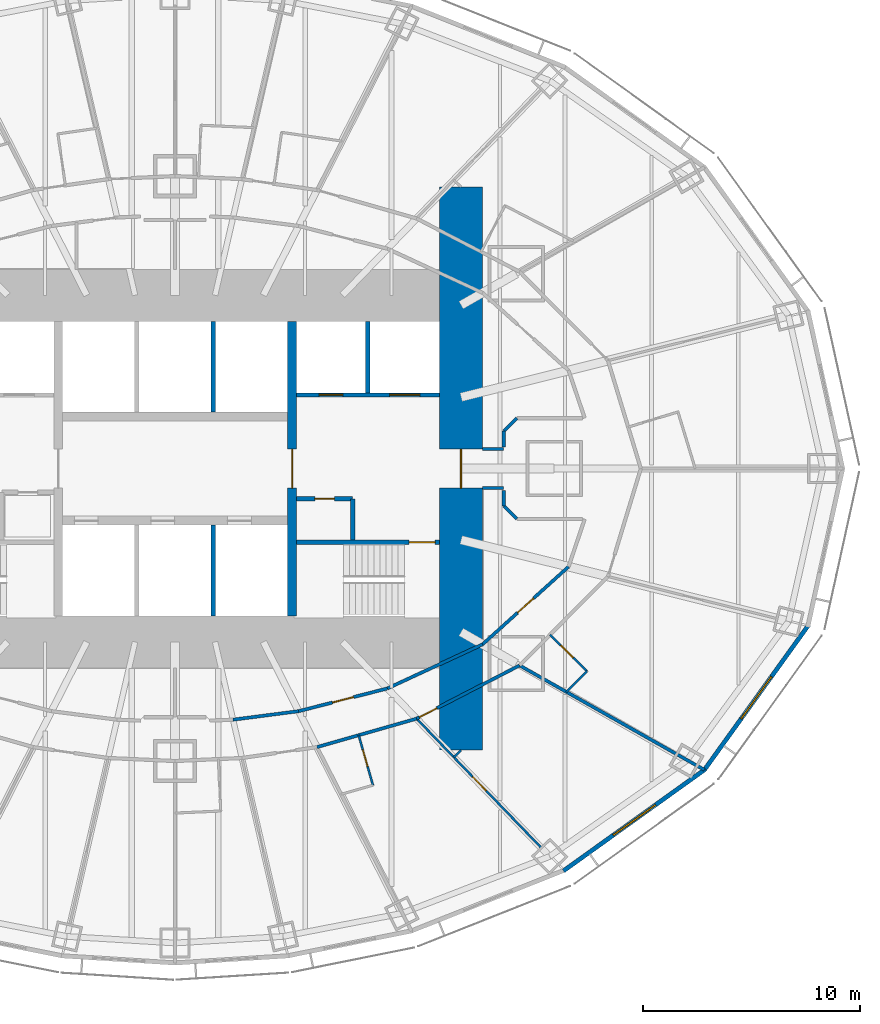
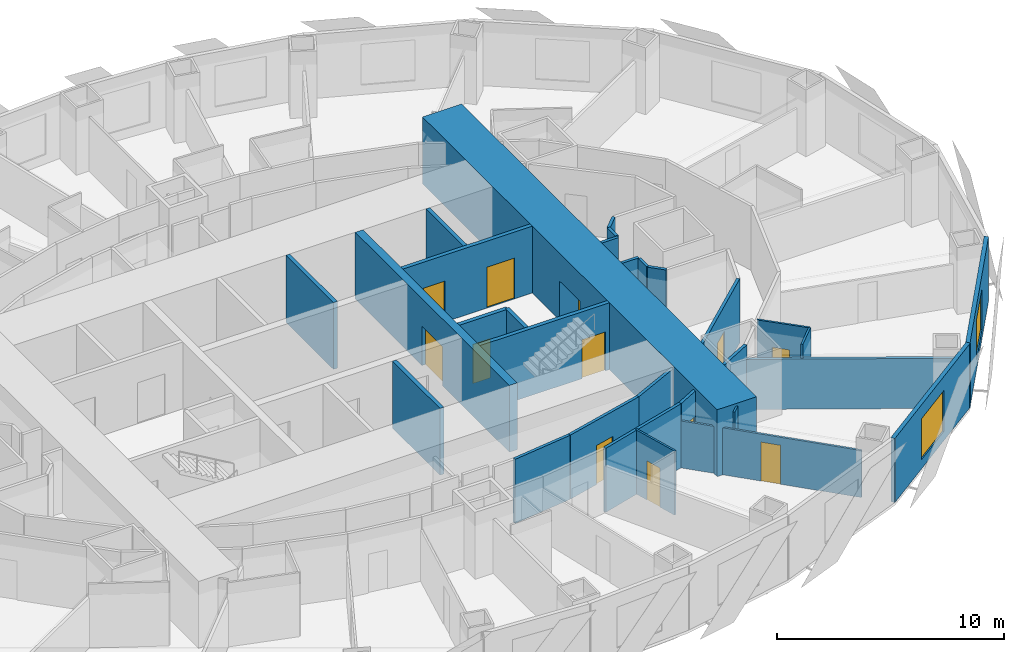
# One storey, part 7 of 15: 29 walls, 12 doors, 2 windows, 14 openings.
"""IFC4 building model written with IfcOpenShell, lengths in metres."""

from ifc_helpers import new_model, si_unit, direction, frame, frame_2d, origin, place, context, subcontext, project, spatial, rectangle, extrude, material, layer, layer_set, type_object, element, fill, save


model = new_model("IFC4")

# Units and contexts
model_context = context("Model", 3, precision=1e-05, world=origin(), true_north=direction((0.0, 1.0)))
body_context = subcontext(model_context, "Body", "Model", "MODEL_VIEW")
ifc_project = project(units=[si_unit("LENGTHUNIT", "METRE"), si_unit("AREAUNIT", "SQUARE_METRE"), si_unit("VOLUMEUNIT", "CUBIC_METRE"), si_unit("PLANEANGLEUNIT", "RADIAN"), si_unit("MASSUNIT", "GRAM", prefix="KILO")], contexts=[model_context])

# Site, building, storey
site_placement = place(None, origin())
site = spatial("IfcSite", under=ifc_project, at=site_placement, CompositionType="ELEMENT")
building_placement = place(site_placement, origin())
building = spatial("IfcBuilding", under=site, at=building_placement, Name="Lantaw Convention Tower", CompositionType="ELEMENT")
storey_placement = place(building_placement, frame((0.0, 0.0, 51.39990234375)))
storey = spatial("IfcBuildingStorey", under=building, at=storey_placement, Name="L10", CompositionType="ELEMENT", Elevation=51.39990234375)

# Wall, opening, door
ifc_material_1 = material(Name="Moisture resistant gypsum board on steel studs", Category="steel")
ifc_layer_1 = layer(ifc_material_1, 0.10009765625)
ifc_layer_set_1 = layer_set([ifc_layer_1], Name="Bathroom wall 100")
wall_type_1 = type_object("IfcWallType", Name="Bathroom wall 100", PredefinedType="PARTITIONING", material=ifc_layer_set_1)
wall_1_placement = place(storey_placement, frame((8.474365234375, -12.30810546875, 0.0), z_axis=(0.0, 0.0, 1.0), x_axis=(0.27497640313, -0.961450975205, 0.0)))
wall_1 = element("IfcWall", 1, at=wall_1_placement, inside=storey, type_object=wall_type_1, Name="Bathroom wall 100", PredefinedType="PARTITIONING", context=body_context, shape_type="SweptSolid", body=[
    extrude(rectangle(XDim=2.39990234375, YDim=0.10009765625, at=frame_2d((1.199951171875, 0.0))), origin(), (0.0, 0.0, 1.0), 3.4501953125),
])
opening_1_placement = place(wall_1_placement, frame((0.699951171875, 0.0, 0.0)))
opening_1 = element("IfcOpeningElement", 2, at=opening_1_placement, cuts=wall_1, Name="Opening L10.56", PredefinedType="OPENING", context=body_context, shape_type="SweptSolid", body=[
    extrude(rectangle(XDim=0.800048828125, YDim=2.10009765625, at=frame_2d((0.39990234375, 1.050048828125))), frame((0.0, 0.06005859375, 0.0), z_axis=(0.0, -1.0, 0.0), x_axis=(1.0, 0.0, 0.0)), (0.0, 0.0, 1.0), 0.1201171875),
])
ifc_material_2 = material(Name="Timber", Category="wood")
door_type_1 = type_object("IfcDoorType", Name="Bathroom door 800", OperationType="SINGLE_SWING_LEFT", PredefinedType="DOOR", material=ifc_material_2)
door_1_placement = place(opening_1_placement, origin())
door_1 = element("IfcDoor", 3, at=door_1_placement, inside=storey, type_object=door_type_1, Name="Bathroom door", OperationType="SINGLE_SWING_LEFT", OverallHeight=2.10009765625, OverallWidth=0.800048828125, PredefinedType="DOOR", context=body_context, shape_type="SweptSolid", body=[
    extrude(rectangle(XDim=0.800048828125, YDim=2.10009765625, at=frame_2d((0.39990234375, 1.050048828125))), frame((0.0, 0.02490234375, 0.0), z_axis=(0.0, -1.0, 0.0), x_axis=(1.0, 0.0, 0.0)), (0.0, 0.0, 1.0), 0.050048828125),
])
fill(opening_1, door_1)

wall_2_placement = place(storey_placement, frame((17.311279296875, -7.668212890625, 0.0), z_axis=(0.0, 0.0, 1.0), x_axis=(0.709138392716, -0.705069315724, 0.0)))
wall_2 = element("IfcWall", 4, at=wall_2_placement, inside=storey, type_object=wall_type_1, Name="Bathroom wall 100", PredefinedType="PARTITIONING", context=body_context, shape_type="SweptSolid", body=[
    extrude(rectangle(XDim=2.39990234375, YDim=0.10009765625, at=frame_2d((1.199951171875, 0.0))), origin(), (0.0, 0.0, 1.0), 3.4501953125),
])
opening_2_placement = place(wall_2_placement, frame((0.699951171875, 0.0, 0.0)))
opening_2 = element("IfcOpeningElement", 5, at=opening_2_placement, cuts=wall_2, Name="Opening L10.59", PredefinedType="OPENING", context=body_context, shape_type="SweptSolid", body=[
    extrude(rectangle(XDim=0.800048828125, YDim=2.10009765625, at=frame_2d((0.39990234375, 1.050048828125))), frame((0.0, 0.06005859375, 0.0), z_axis=(0.0, -1.0, 0.0), x_axis=(1.0, 0.0, 0.0)), (0.0, 0.0, 1.0), 0.1201171875),
])
door_2_placement = place(opening_2_placement, origin())
door_2 = element("IfcDoor", 6, at=door_2_placement, inside=storey, type_object=door_type_1, Name="Bathroom door", OperationType="SINGLE_SWING_LEFT", OverallHeight=2.10009765625, OverallWidth=0.800048828125, PredefinedType="DOOR", context=body_context, shape_type="SweptSolid", body=[
    extrude(rectangle(XDim=0.800048828125, YDim=2.10009765625, at=frame_2d((0.39990234375, 1.050048828125))), frame((0.0, 0.02490234375, 0.0), z_axis=(0.0, -1.0, 0.0), x_axis=(1.0, 0.0, 0.0)), (0.0, 0.0, 1.0), 0.050048828125),
])
fill(opening_2, door_2)

# Wall
wall_3_placement = place(storey_placement, frame((19.01318359375, -9.3603515625, 0.0), z_axis=(0.0, 0.0, 1.0), x_axis=(-0.7051187611, -0.709089227633, 0.0)))
element("IfcWall", 7, at=wall_3_placement, inside=storey, type_object=wall_type_1, Name="Bathroom wall 100", PredefinedType="PARTITIONING", context=body_context, shape_type="SweptSolid", body=[
    extrude(rectangle(XDim=1.352783203125, YDim=0.10009765625, at=frame_2d((0.67626953125, 0.0))), origin(), (0.0, 0.0, 1.0), 3.4501953125),
])

# Wall, opening, door
ifc_material_3 = material(Name="Concrete C60/75", Category="concrete")
ifc_layer_2 = layer(ifc_material_3, 0.199951171875)
ifc_layer_set_2 = layer_set([ifc_layer_2], Name="Core wall 200")
wall_type_2 = type_object("IfcWallType", Name="Core wall 200", PredefinedType="SHEAR", material=ifc_layer_set_2)
wall_4_placement = place(storey_placement, frame((5.60009765625, -3.39990234375, 0.0), z_axis=(0.0, 0.0, 1.0), x_axis=(1.0, 0.0, 0.0)))
wall_4 = element("IfcWall", 8, at=wall_4_placement, inside=storey, type_object=wall_type_2, Name="Core wall ES", PredefinedType="SHEAR", context=body_context, shape_type="SweptSolid", body=[
    extrude(rectangle(XDim=6.599853515625, YDim=0.199951171875, at=frame_2d((3.2998046875, 0.0))), origin(), (0.0, 0.0, 1.0), 3.60009765625),
])
opening_3_placement = place(wall_4_placement, frame((5.199951171875, 0.0, 0.0)))
opening_3 = element("IfcOpeningElement", 9, at=opening_3_placement, cuts=wall_4, Name="Opening L10.05", PredefinedType="OPENING", context=body_context, shape_type="SweptSolid", body=[
    extrude(rectangle(XDim=1.199951171875, YDim=2.10009765625, at=frame_2d((0.60009765625, 1.050048828125))), frame((0.0, 0.10986328125, 0.0), z_axis=(0.0, -1.0, 0.0), x_axis=(1.0, 0.0, 0.0)), (0.0, 0.0, 1.0), 0.219970703125),
])
ifc_material_4 = material(Name="Steel, fire rated", Category="steel")
door_type_2 = type_object("IfcDoorType", Name="Stair door FD90", OperationType="SINGLE_SWING_RIGHT", PredefinedType="DOOR", material=ifc_material_4)
door_3_placement = place(opening_3_placement, origin())
door_3 = element("IfcDoor", 10, at=door_3_placement, inside=storey, type_object=door_type_2, Name="Exit stair door", OperationType="SINGLE_SWING_RIGHT", OverallHeight=2.10009765625, OverallWidth=1.199951171875, PredefinedType="DOOR", context=body_context, shape_type="SweptSolid", body=[
    extrude(rectangle(XDim=1.199951171875, YDim=2.10009765625, at=frame_2d((0.60009765625, 1.050048828125))), frame((0.0, 0.02490234375, 0.0), z_axis=(0.0, -1.0, 0.0), x_axis=(1.0, 0.0, 0.0)), (0.0, 0.0, 1.0), 0.050048828125),
])
fill(opening_3, door_3)

ifc_layer_3 = layer(ifc_material_3, 2.0)
ifc_layer_set_3 = layer_set([ifc_layer_3], Name="Core wall 2000")
wall_type_3 = type_object("IfcWallType", Name="Core wall 2000", PredefinedType="SHEAR", material=ifc_layer_set_3)
wall_5_placement = place(storey_placement, frame((13.199951171875, -13.0, 0.0), z_axis=(0.0, 0.0, 1.0), x_axis=(0.0, 1.0, 0.0)))
wall_5 = element("IfcWall", 11, at=wall_5_placement, inside=storey, type_object=wall_type_3, Name="Core wall E", PredefinedType="SHEAR", context=body_context, shape_type="SweptSolid", body=[
    extrude(rectangle(XDim=26.0, YDim=2.0, at=frame_2d((13.0, 0.0))), origin(), (0.0, 0.0, 1.0), 3.60009765625),
])
opening_4_placement = place(wall_5_placement, frame((12.10009765625, 0.0, 0.0)))
opening_4 = element("IfcOpeningElement", 12, at=opening_4_placement, cuts=wall_5, Name="Opening L10.07", PredefinedType="OPENING", context=body_context, shape_type="SweptSolid", body=[
    extrude(rectangle(XDim=1.800048828125, YDim=2.10009765625, at=frame_2d((0.89990234375, 1.050048828125))), frame((0.0, 1.010009765625, 0.0), z_axis=(0.0, -1.0, 0.0), x_axis=(1.0, 0.0, 0.0)), (0.0, 0.0, 1.0), 2.02001953125),
])
door_type_3 = type_object("IfcDoorType", Name="Lobby double door FD90", OperationType="DOUBLE_DOOR_DOUBLE_SWING", PredefinedType="DOOR", material=ifc_material_4)
door_4_placement = place(opening_4_placement, origin())
door_4 = element("IfcDoor", 13, at=door_4_placement, inside=storey, type_object=door_type_3, Name="Firefighting lobby door", OperationType="DOUBLE_DOOR_DOUBLE_SWING", OverallHeight=2.10009765625, OverallWidth=1.800048828125, PredefinedType="DOOR", context=body_context, shape_type="SweptSolid", body=[
    extrude(rectangle(XDim=1.800048828125, YDim=2.10009765625, at=frame_2d((0.89990234375, 1.050048828125))), frame((0.0, 0.02490234375, 0.0), z_axis=(0.0, -1.0, 0.0), x_axis=(1.0, 0.0, 0.0)), (0.0, 0.0, 1.0), 0.050048828125),
])
fill(opening_4, door_4)

ifc_layer_4 = layer(ifc_material_3, 0.39990234375)
ifc_layer_set_4 = layer_set([ifc_layer_4], Name="Core wall 400")
wall_type_4 = type_object("IfcWallType", Name="Core wall 400", PredefinedType="SHEAR", material=ifc_layer_set_4)
wall_6_placement = place(storey_placement, frame((5.39990234375, -6.800048828125, 0.0), z_axis=(0.0, 0.0, 1.0), x_axis=(0.0, 1.0, 0.0)))
wall_6 = element("IfcWall", 14, at=wall_6_placement, inside=storey, type_object=wall_type_4, Name="Core wall XE", PredefinedType="SHEAR", context=body_context, shape_type="SweptSolid", body=[
    extrude(rectangle(XDim=13.60009765625, YDim=0.39990234375, at=frame_2d((6.800048828125, 0.0))), origin(), (0.0, 0.0, 1.0), 3.60009765625),
])
opening_5_placement = place(wall_6_placement, frame((5.89990234375, 0.0, 0.0)))
opening_5 = element("IfcOpeningElement", 15, at=opening_5_placement, cuts=wall_6, Name="Opening L10.03", PredefinedType="OPENING", context=body_context, shape_type="SweptSolid", body=[
    extrude(rectangle(XDim=1.800048828125, YDim=2.10009765625, at=frame_2d((0.89990234375, 1.050048828125))), frame((0.0, 0.2099609375, 0.0), z_axis=(0.0, -1.0, 0.0), x_axis=(1.0, 0.0, 0.0)), (0.0, 0.0, 1.0), 0.419921875),
])
door_5_placement = place(opening_5_placement, origin())
door_5 = element("IfcDoor", 16, at=door_5_placement, inside=storey, type_object=door_type_3, Name="Lift lobby door", OperationType="DOUBLE_DOOR_DOUBLE_SWING", OverallHeight=2.10009765625, OverallWidth=1.800048828125, PredefinedType="DOOR", context=body_context, shape_type="SweptSolid", body=[
    extrude(rectangle(XDim=1.800048828125, YDim=2.10009765625, at=frame_2d((0.89990234375, 1.050048828125))), frame((0.0, 0.02490234375, 0.0), z_axis=(0.0, -1.0, 0.0), x_axis=(1.0, 0.0, 0.0)), (0.0, 0.0, 1.0), 0.050048828125),
])
fill(opening_5, door_5)

# Wall
ifc_material_5 = material(Name="Gypsum board on steel studs, fire rated", Category="steel")
ifc_layer_5 = layer(ifc_material_5, 0.14990234375)
ifc_layer_set_5 = layer_set([ifc_layer_5], Name="Corridor wall 150 EI 60")
wall_type_5 = type_object("IfcWallType", Name="Corridor wall 150 EI 60", PredefinedType="PARTITIONING", material=ifc_layer_set_5)
wall_7_placement = place(storey_placement, frame((6.551513671875, -12.85791015625, 0.0), z_axis=(0.0, 0.0, 1.0), x_axis=(0.961464178199, 0.27493023486, 0.0)))
element("IfcWall", 17, at=wall_7_placement, inside=storey, type_object=wall_type_5, Name="Corridor wall 150", PredefinedType="PARTITIONING", context=body_context, shape_type="SweptSolid", body=[
    extrude(rectangle(XDim=4.7802734375, YDim=0.14990234375, at=frame_2d((2.39013671875, 0.0))), origin(), (0.0, 0.0, 1.0), 3.4501953125),
])

# Wall, opening, door
wall_8_placement = place(storey_placement, frame((11.1474609375, -11.543701171875, 0.0), z_axis=(0.0, 0.0, 1.0), x_axis=(0.888333171507, 0.459199495209, 0.0)))
wall_8 = element("IfcWall", 18, at=wall_8_placement, inside=storey, type_object=wall_type_5, Name="Corridor wall 150", PredefinedType="PARTITIONING", context=body_context, shape_type="SweptSolid", body=[
    extrude(rectangle(XDim=5.351318359375, YDim=0.14990234375, at=frame_2d((2.67578125, 0.0))), origin(), (0.0, 0.0, 1.0), 3.4501953125),
])
opening_6_placement = place(wall_8_placement, frame((0.14990234375, 0.0, 0.0)))
opening_6 = element("IfcOpeningElement", 19, at=opening_6_placement, cuts=wall_8, Name="Opening L10.58", PredefinedType="OPENING", context=body_context, shape_type="SweptSolid", body=[
    extrude(rectangle(XDim=0.89990234375, YDim=2.10009765625, at=frame_2d((0.449951171875, 1.050048828125))), frame((0.0, 0.0849609375, 0.0), z_axis=(0.0, -1.0, 0.0), x_axis=(1.0, 0.0, 0.0)), (0.0, 0.0, 1.0), 0.169921875),
])
door_type_4 = type_object("IfcDoorType", Name="Guest room entrance door FD30S", OperationType="SINGLE_SWING_LEFT", PredefinedType="DOOR", material=ifc_material_4)
door_6_placement = place(opening_6_placement, origin())
door_6 = element("IfcDoor", 20, at=door_6_placement, inside=storey, type_object=door_type_4, Name="Suite entrance door", OperationType="SINGLE_SWING_LEFT", OverallHeight=2.10009765625, OverallWidth=0.89990234375, PredefinedType="DOOR", context=body_context, shape_type="SweptSolid", body=[
    extrude(rectangle(XDim=0.89990234375, YDim=2.10009765625, at=frame_2d((0.449951171875, 1.050048828125))), frame((0.0, 0.02490234375, 0.0), z_axis=(0.0, -1.0, 0.0), x_axis=(1.0, 0.0, 0.0)), (0.0, 0.0, 1.0), 0.050048828125),
])
fill(opening_6, door_6)

# Wall
wall_9_placement = place(storey_placement, frame((2.676025390625, -11.591552734375, 0.0), z_axis=(0.0, 0.0, 1.0), x_axis=(0.99168929531, 0.128655903743, 0.0)))
element("IfcWall", 21, at=wall_9_placement, inside=storey, type_object=wall_type_5, Name="Corridor wall 150", PredefinedType="PARTITIONING", context=body_context, shape_type="SweptSolid", body=[
    extrude(rectangle(XDim=3.05517578125, YDim=0.14990234375, at=frame_2d((1.527587890625, 0.0))), origin(), (0.0, 0.0, 1.0), 3.4501953125),
])

# Wall, opening, door
wall_10_placement = place(storey_placement, frame((5.705810546875, -11.198486328125, 0.0), z_axis=(0.0, 0.0, 1.0), x_axis=(0.968705891355, 0.248211393886, 0.0)))
wall_10 = element("IfcWall", 22, at=wall_10_placement, inside=storey, type_object=wall_type_5, Name="Corridor wall 150", PredefinedType="PARTITIONING", context=body_context, shape_type="SweptSolid", body=[
    extrude(rectangle(XDim=4.2275390625, YDim=0.14990234375, at=frame_2d((2.11376953125, 0.0))), origin(), (0.0, 0.0, 1.0), 3.4501953125),
])
opening_7_placement = place(wall_10_placement, frame((1.61376953125, 0.0, 0.0)))
opening_7 = element("IfcOpeningElement", 23, at=opening_7_placement, cuts=wall_10, Name="Opening L10.24", PredefinedType="OPENING", context=body_context, shape_type="SweptSolid", body=[
    extrude(rectangle(XDim=1.0, YDim=2.10009765625, at=frame_2d((0.5, 1.050048828125))), frame((0.0, 0.0849609375, 0.0), z_axis=(0.0, -1.0, 0.0), x_axis=(1.0, 0.0, 0.0)), (0.0, 0.0, 1.0), 0.169921875),
])
door_type_5 = type_object("IfcDoorType", Name="Service door 1000 FD30", OperationType="SINGLE_SWING_LEFT", PredefinedType="DOOR", material=ifc_material_4)
door_7_placement = place(opening_7_placement, origin())
door_7 = element("IfcDoor", 24, at=door_7_placement, inside=storey, type_object=door_type_5, Name="Room service pantry door", OperationType="SINGLE_SWING_LEFT", OverallHeight=2.10009765625, OverallWidth=1.0, PredefinedType="DOOR", context=body_context, shape_type="SweptSolid", body=[
    extrude(rectangle(XDim=1.0, YDim=2.10009765625, at=frame_2d((0.5, 1.050048828125))), frame((0.0, 0.02490234375, 0.0), z_axis=(0.0, -1.0, 0.0), x_axis=(1.0, 0.0, 0.0)), (0.0, 0.0, 1.0), 0.050048828125),
])
fill(opening_7, door_7)

# Wall
wall_11_placement = place(storey_placement, frame((9.801025390625, -10.149169921875, 0.0), z_axis=(0.0, 0.0, 1.0), x_axis=(0.907279653965, 0.420527798727, 0.0)))
element("IfcWall", 25, at=wall_11_placement, inside=storey, type_object=wall_type_5, Name="Corridor wall 150", PredefinedType="PARTITIONING", context=body_context, shape_type="SweptSolid", body=[
    extrude(rectangle(XDim=4.84423828125, YDim=0.14990234375, at=frame_2d((2.422119140625, 0.0))), origin(), (0.0, 0.0, 1.0), 3.4501953125),
])

# Wall, opening, door
wall_12_placement = place(storey_placement, frame((14.196044921875, -8.112060546875, 0.0), z_axis=(0.0, 0.0, 1.0), x_axis=(0.742194222, 0.670184852731, 0.0)))
wall_12 = element("IfcWall", 26, at=wall_12_placement, inside=storey, type_object=wall_type_5, Name="Corridor wall 150", PredefinedType="PARTITIONING", context=body_context, shape_type="SweptSolid", body=[
    extrude(rectangle(XDim=5.3466796875, YDim=0.14990234375, at=frame_2d((2.67333984375, 0.0))), origin(), (0.0, 0.0, 1.0), 3.4501953125),
])
opening_8_placement = place(wall_12_placement, frame((2.17333984375, 0.0, 0.0)))
opening_8 = element("IfcOpeningElement", 27, at=opening_8_placement, cuts=wall_12, Name="Opening L10.23", PredefinedType="OPENING", context=body_context, shape_type="SweptSolid", body=[
    extrude(rectangle(XDim=1.0, YDim=2.10009765625, at=frame_2d((0.5, 1.050048828125))), frame((0.0, 0.0849609375, 0.0), z_axis=(0.0, -1.0, 0.0), x_axis=(1.0, 0.0, 0.0)), (0.0, 0.0, 1.0), 0.169921875),
])
door_8_placement = place(opening_8_placement, origin())
door_8 = element("IfcDoor", 28, at=door_8_placement, inside=storey, type_object=door_type_5, Name="Room service pantry door", OperationType="SINGLE_SWING_LEFT", OverallHeight=2.10009765625, OverallWidth=1.0, PredefinedType="DOOR", context=body_context, shape_type="SweptSolid", body=[
    extrude(rectangle(XDim=1.0, YDim=2.10009765625, at=frame_2d((0.5, 1.050048828125))), frame((0.0, 0.02490234375, 0.0), z_axis=(0.0, -1.0, 0.0), x_axis=(1.0, 0.0, 0.0)), (0.0, 0.0, 1.0), 0.050048828125),
])
fill(opening_8, door_8)

# Walls
for number, where, z_axis, x_axis, name in (
    (29, (14.199951171875, -0.89990234375, 0.0), (0.0, 0.0, 1.0), (1.0, 0.0, 0.0), "Corridor wall 150"),
    (30, (14.199951171875, 0.89990234375, 0.0), (0.0, 0.0, 1.0), (1.0, 0.0, 0.0), "Corridor wall 150"),
):
    element("IfcWall", number, at=place(storey_placement, frame(where, z_axis=z_axis, x_axis=x_axis)), inside=storey, type_object=wall_type_5, Name=name, PredefinedType="PARTITIONING", context=body_context, shape_type="SweptSolid", body=[
        extrude(rectangle(XDim=0.965087890625, YDim=0.14990234375, at=frame_2d((0.482421875, 0.0))), origin(), (0.0, 0.0, 1.0), 3.4501953125),
    ])
wall_13_placement = place(storey_placement, frame((15.175048828125, 1.003173828125, 0.0), z_axis=(0.0, 0.0, 1.0), x_axis=(0.0, 1.0, 0.0)))
element("IfcWall", 31, at=wall_13_placement, inside=storey, type_object=wall_type_5, Name="Corridor wall 150", PredefinedType="PARTITIONING", context=body_context, shape_type="SweptSolid", body=[
    extrude(rectangle(XDim=0.721435546875, YDim=0.14990234375, at=frame_2d((0.36083984375, 0.0))), origin(), (0.0, 0.0, 1.0), 3.4501953125),
])
wall_14_placement = place(storey_placement, frame((15.175048828125, 1.724609375, 0.0), z_axis=(0.0, 0.0, 1.0), x_axis=(0.707106781187, 0.707106781187, 0.0)))
element("IfcWall", 32, at=wall_14_placement, inside=storey, type_object=wall_type_5, Name="Corridor wall 150", PredefinedType="PARTITIONING", context=body_context, shape_type="SweptSolid", body=[
    extrude(rectangle(XDim=0.84912109375, YDim=0.14990234375, at=frame_2d((0.424560546875, 0.0))), origin(), (0.0, 0.0, 1.0), 3.4501953125),
])
wall_15_placement = place(storey_placement, frame((15.175048828125, -1.724609375, 0.0), z_axis=(0.0, 0.0, 1.0), x_axis=(0.0, 1.0, 0.0)))
element("IfcWall", 33, at=wall_15_placement, inside=storey, type_object=wall_type_5, Name="Corridor wall 150", PredefinedType="PARTITIONING", context=body_context, shape_type="SweptSolid", body=[
    extrude(rectangle(XDim=0.721435546875, YDim=0.14990234375, at=frame_2d((0.36083984375, 0.0))), origin(), (0.0, 0.0, 1.0), 3.4501953125),
])
wall_16_placement = place(storey_placement, frame((15.775390625, -2.324951171875, 0.0), z_axis=(0.0, 0.0, 1.0), x_axis=(-0.707106781187, 0.707106781187, 0.0)))
element("IfcWall", 34, at=wall_16_placement, inside=storey, type_object=wall_type_5, Name="Corridor wall 150", PredefinedType="PARTITIONING", context=body_context, shape_type="SweptSolid", body=[
    extrude(rectangle(XDim=0.84912109375, YDim=0.14990234375, at=frame_2d((0.424560546875, 0.0))), origin(), (0.0, 0.0, 1.0), 3.4501953125),
])

# Wall, opening, window
ifc_material_6 = material(Name="Insulated aluminium panel on steel frame", Category="steel")
ifc_layer_6 = layer(ifc_material_6, 0.199951171875)
ifc_layer_set_6 = layer_set([ifc_layer_6], Name="External wall 200")
wall_type_6 = type_object("IfcWallType", Name="External wall 200", PredefinedType="SOLIDWALL", material=ifc_layer_set_6)
wall_17_placement = place(storey_placement, frame((17.9287109375, -18.57177734375, 0.0), z_axis=(0.0, 0.0, 1.0), x_axis=(0.812791321576, 0.582554948112, 0.0)))
wall_17 = element("IfcWall", 35, at=wall_17_placement, inside=storey, type_object=wall_type_6, Name="Facade panel wall", PredefinedType="SOLIDWALL", context=body_context, shape_type="SweptSolid", body=[
    extrude(rectangle(XDim=8.063232421875, YDim=0.199951171875, at=frame_2d((4.03173828125, 0.0))), origin(), (0.0, 0.0, 1.0), 3.4501953125),
])
opening_9_placement = place(wall_17_placement, frame((2.83154296875, 0.0, 0.5)))
opening_9 = element("IfcOpeningElement", 36, at=opening_9_placement, cuts=wall_17, Name="Opening W1", PredefinedType="OPENING", context=body_context, shape_type="SweptSolid", body=[
    extrude(rectangle(XDim=2.39990234375, YDim=2.199951171875, at=frame_2d((1.199951171875, 1.10009765625))), frame((0.0, 0.10986328125, 0.0), z_axis=(0.0, -1.0, 0.0), x_axis=(1.0, 0.0, 0.0)), (0.0, 0.0, 1.0), 0.219970703125),
])
ifc_material_7 = material(Name="Aluminium frame, clear insulating glass", Category="aluminium")
window_type = type_object("IfcWindowType", Name="Guest room window 2400x2200", PartitioningType="SINGLE_PANEL", PredefinedType="WINDOW", material=ifc_material_7)
window_1_placement = place(opening_9_placement, origin())
window_1 = element("IfcWindow", 37, at=window_1_placement, inside=storey, type_object=window_type, Name="Guest room window", OverallHeight=2.199951171875, OverallWidth=2.39990234375, PartitioningType="SINGLE_PANEL", PredefinedType="WINDOW", context=body_context, shape_type="SweptSolid", body=[
    extrude(rectangle(XDim=2.39990234375, YDim=2.199951171875, at=frame_2d((1.199951171875, 1.10009765625))), frame((0.0, 0.030029296875, 0.0), z_axis=(0.0, -1.0, 0.0), x_axis=(1.0, 0.0, 0.0)), (0.0, 0.0, 1.0), 0.06005859375),
])
fill(opening_9, window_1)

wall_18_placement = place(storey_placement, frame((24.400390625, -13.95654296875, 0.0), z_axis=(0.0, 0.0, 1.0), x_axis=(0.583937613703, 0.811798536155, 0.0)))
wall_18 = element("IfcWall", 38, at=wall_18_placement, inside=storey, type_object=wall_type_6, Name="Facade panel wall", PredefinedType="SOLIDWALL", context=body_context, shape_type="SweptSolid", body=[
    extrude(rectangle(XDim=8.322998046875, YDim=0.199951171875, at=frame_2d((4.16162109375, 0.0))), origin(), (0.0, 0.0, 1.0), 3.4501953125),
])
opening_10_placement = place(wall_18_placement, frame((2.96142578125, 0.0, 0.5)))
opening_10 = element("IfcOpeningElement", 39, at=opening_10_placement, cuts=wall_18, Name="Opening W1", PredefinedType="OPENING", context=body_context, shape_type="SweptSolid", body=[
    extrude(rectangle(XDim=2.39990234375, YDim=2.199951171875, at=frame_2d((1.199951171875, 1.10009765625))), frame((0.0, 0.10986328125, 0.0), z_axis=(0.0, -1.0, 0.0), x_axis=(1.0, 0.0, 0.0)), (0.0, 0.0, 1.0), 0.219970703125),
])
window_2_placement = place(opening_10_placement, origin())
window_2 = element("IfcWindow", 40, at=window_2_placement, inside=storey, type_object=window_type, Name="Guest room window", OverallHeight=2.199951171875, OverallWidth=2.39990234375, PartitioningType="SINGLE_PANEL", PredefinedType="WINDOW", context=body_context, shape_type="SweptSolid", body=[
    extrude(rectangle(XDim=2.39990234375, YDim=2.199951171875, at=frame_2d((1.199951171875, 1.10009765625))), frame((0.0, 0.030029296875, 0.0), z_axis=(0.0, -1.0, 0.0), x_axis=(1.0, 0.0, 0.0)), (0.0, 0.0, 1.0), 0.06005859375),
])
fill(opening_10, window_2)

# Walls
ifc_material_8 = material(Name="Gypsum board on steel studs, acoustic", Category="steel")
ifc_layer_7 = layer(ifc_material_8, 0.14990234375)
ifc_layer_set_7 = layer_set([ifc_layer_7], Name="Guest room party wall 150")
wall_type_7 = type_object("IfcWallType", Name="Guest room party wall 150", PredefinedType="PARTITIONING", material=ifc_layer_set_7)
wall_19_placement = place(storey_placement, frame((24.434814453125, -13.90869140625, 0.0), z_axis=(0.0, 0.0, 1.0), x_axis=(-0.870612006791, 0.491970256856, 0.0)))
element("IfcWall", 41, at=wall_19_placement, inside=storey, type_object=wall_type_7, Name="Guest room party wall 150", PredefinedType="PARTITIONING", context=body_context, shape_type="SweptSolid", body=[
    extrude(rectangle(XDim=9.802001953125, YDim=0.14990234375, at=frame_2d((4.90087890625, 0.0))), origin(), (0.0, 0.0, 1.0), 2.693115234375),
])
ifc_layer_8 = layer(ifc_material_8, 0.10009765625)
ifc_layer_set_8 = layer_set([ifc_layer_8], Name="Office partition 100")
wall_type_8 = type_object("IfcWallType", Name="Office partition 100", PredefinedType="PARTITIONING", material=ifc_layer_set_8)
wall_20_placement = place(storey_placement, frame((13.199951171875, -13.0, 0.0), z_axis=(0.0, 0.0, 1.0), x_axis=(-0.719347134512, -0.69465077562, 0.0)))
element("IfcWall", 42, at=wall_20_placement, inside=storey, type_object=wall_type_8, Name="Office partition 100", PredefinedType="PARTITIONING", context=body_context, shape_type="SweptSolid", body=[
    extrude(rectangle(XDim=0.464599609375, YDim=0.10009765625, at=frame_2d((0.232421875, 0.0))), origin(), (0.0, 0.0, 1.0), 3.4501953125),
])

# Wall, opening, door
ifc_material_9 = material(Name="Concrete blockwork, fire rated", Category="masonry")
ifc_layer_9 = layer(ifc_material_9, 0.199951171875)
ifc_layer_set_9 = layer_set([ifc_layer_9], Name="Plant room wall 200 EI 120")
wall_type_9 = type_object("IfcWallType", Name="Plant room wall 200 EI 120", PredefinedType="SOLIDWALL", material=ifc_layer_set_9)
wall_21_placement = place(storey_placement, frame((5.60009765625, -1.39990234375, 0.0), z_axis=(0.0, 0.0, 1.0), x_axis=(1.0, 0.0, 0.0)))
wall_21 = element("IfcWall", 43, at=wall_21_placement, inside=storey, type_object=wall_type_9, Name="Plant room wall 200", PredefinedType="SOLIDWALL", context=body_context, shape_type="SweptSolid", body=[
    extrude(rectangle(XDim=2.599853515625, YDim=0.199951171875, at=frame_2d((1.2998046875, 0.0))), origin(), (0.0, 0.0, 1.0), 3.4501953125),
])
opening_11_placement = place(wall_21_placement, frame((0.85009765625, 0.0, 0.0)))
opening_11 = element("IfcOpeningElement", 44, at=opening_11_placement, cuts=wall_21, Name="Opening L10.02", PredefinedType="OPENING", context=body_context, shape_type="SweptSolid", body=[
    extrude(rectangle(XDim=0.89990234375, YDim=2.10009765625, at=frame_2d((0.449951171875, 1.050048828125))), frame((0.0, 0.10986328125, 0.0), z_axis=(0.0, -1.0, 0.0), x_axis=(1.0, 0.0, 0.0)), (0.0, 0.0, 1.0), 0.219970703125),
])
door_type_6 = type_object("IfcDoorType", Name="Service door 900 FD60", OperationType="SINGLE_SWING_LEFT", PredefinedType="DOOR", material=ifc_material_4)
door_9_placement = place(opening_11_placement, origin())
door_9 = element("IfcDoor", 45, at=door_9_placement, inside=storey, type_object=door_type_6, Name="Cleaner's store door", OperationType="SINGLE_SWING_LEFT", OverallHeight=2.10009765625, OverallWidth=0.89990234375, PredefinedType="DOOR", context=body_context, shape_type="SweptSolid", body=[
    extrude(rectangle(XDim=0.89990234375, YDim=2.10009765625, at=frame_2d((0.449951171875, 1.050048828125))), frame((0.0, 0.02490234375, 0.0), z_axis=(0.0, -1.0, 0.0), x_axis=(1.0, 0.0, 0.0)), (0.0, 0.0, 1.0), 0.050048828125),
])
fill(opening_11, door_9)

# Walls
wall_22_placement = place(storey_placement, frame((8.199951171875, -1.39990234375, 0.0), z_axis=(0.0, 0.0, 1.0), x_axis=(0.0, -1.0, 0.0)))
element("IfcWall", 46, at=wall_22_placement, inside=storey, type_object=wall_type_9, Name="Plant room wall 200", PredefinedType="SOLIDWALL", context=body_context, shape_type="SweptSolid", body=[
    extrude(rectangle(XDim=1.900146484375, YDim=0.199951171875, at=frame_2d((0.9501953125, 0.0))), origin(), (0.0, 0.0, 1.0), 3.4501953125),
])
ifc_layer_10 = layer(ifc_material_9, 0.199951171875)
ifc_layer_set_10 = layer_set([ifc_layer_10], Name="Shaft wall 200")
wall_type_10 = type_object("IfcWallType", Name="Shaft wall 200", PredefinedType="SOLIDWALL", material=ifc_layer_set_10)
wall_23_placement = place(storey_placement, frame((1.7666015625, 2.60009765625, 0.0), z_axis=(0.0, 0.0, 1.0), x_axis=(0.0, 1.0, 0.0)))
element("IfcWall", 47, at=wall_23_placement, inside=storey, type_object=wall_type_10, Name="Shaft wall DN2", PredefinedType="SOLIDWALL", context=body_context, shape_type="SweptSolid", body=[
    extrude(rectangle(XDim=4.199951171875, YDim=0.199951171875, at=frame_2d((2.10009765625, 0.0))), origin(), (0.0, 0.0, 1.0), 3.60009765625),
])

# Wall, openings, doors
wall_24_placement = place(storey_placement, frame((12.199951171875, 3.39990234375, 0.0), z_axis=(0.0, 0.0, 1.0), x_axis=(-1.0, 0.0, 0.0)))
wall_24 = element("IfcWall", 48, at=wall_24_placement, inside=storey, type_object=wall_type_10, Name="Shaft wall EN", PredefinedType="SOLIDWALL", context=body_context, shape_type="SweptSolid", body=[
    extrude(rectangle(XDim=6.599853515625, YDim=0.199951171875, at=frame_2d((3.2998046875, 0.0))), origin(), (0.0, 0.0, 1.0), 3.60009765625),
])
opening_12_placement = place(wall_24_placement, frame((4.449951171875, 0.0, 0.0)))
opening_12 = element("IfcOpeningElement", 49, at=opening_12_placement, cuts=wall_24, Name="Opening L10.14", PredefinedType="OPENING", context=body_context, shape_type="SweptSolid", body=[
    extrude(rectangle(XDim=1.10009765625, YDim=2.199951171875, at=frame_2d((0.550048828125, 1.10009765625))), frame((0.0, 0.10986328125, 0.0), z_axis=(0.0, -1.0, 0.0), x_axis=(1.0, 0.0, 0.0)), (0.0, 0.0, 1.0), 0.219970703125),
])
opening_13_placement = place(wall_24_placement, frame((0.89990234375, 0.0, 0.0)))
opening_13 = element("IfcOpeningElement", 50, at=opening_13_placement, cuts=wall_24, Name="Opening L10.15", PredefinedType="OPENING", context=body_context, shape_type="SweptSolid", body=[
    extrude(rectangle(XDim=1.39990234375, YDim=2.199951171875, at=frame_2d((0.699951171875, 1.10009765625))), frame((0.0, 0.10986328125, 0.0), z_axis=(0.0, -1.0, 0.0), x_axis=(1.0, 0.0, 0.0)), (0.0, 0.0, 1.0), 0.219970703125),
])
ifc_material_10 = material(Name="Stainless steel", Category="steel")
door_type_7 = type_object("IfcDoorType", Name="Lift landing door 1100", OperationType="DOUBLE_DOOR_SLIDING", PredefinedType="DOOR", material=ifc_material_10)
door_10_placement = place(opening_12_placement, origin())
door_10 = element("IfcDoor", 51, at=door_10_placement, inside=storey, type_object=door_type_7, Name="Lift landing door FF2", OperationType="DOUBLE_DOOR_SLIDING", OverallHeight=2.199951171875, OverallWidth=1.10009765625, PredefinedType="DOOR", context=body_context, shape_type="SweptSolid", body=[
    extrude(rectangle(XDim=1.10009765625, YDim=2.199951171875, at=frame_2d((0.550048828125, 1.10009765625))), frame((0.0, 0.02490234375, 0.0), z_axis=(0.0, -1.0, 0.0), x_axis=(1.0, 0.0, 0.0)), (0.0, 0.0, 1.0), 0.050048828125),
])
fill(opening_12, door_10)
door_type_8 = type_object("IfcDoorType", Name="Lift landing door 1400", OperationType="DOUBLE_DOOR_SLIDING", PredefinedType="DOOR", material=ifc_material_10)
door_11_placement = place(opening_13_placement, origin())
door_11 = element("IfcDoor", 52, at=door_11_placement, inside=storey, type_object=door_type_8, Name="Lift landing door SV2", OperationType="DOUBLE_DOOR_SLIDING", OverallHeight=2.199951171875, OverallWidth=1.39990234375, PredefinedType="DOOR", context=body_context, shape_type="SweptSolid", body=[
    extrude(rectangle(XDim=1.39990234375, YDim=2.199951171875, at=frame_2d((0.699951171875, 1.10009765625))), frame((0.0, 0.02490234375, 0.0), z_axis=(0.0, -1.0, 0.0), x_axis=(1.0, 0.0, 0.0)), (0.0, 0.0, 1.0), 0.050048828125),
])
fill(opening_13, door_11)

# Walls
wall_25_placement = place(storey_placement, frame((8.89990234375, 3.5, 0.0), z_axis=(0.0, 0.0, 1.0), x_axis=(0.0, 1.0, 0.0)))
element("IfcWall", 53, at=wall_25_placement, inside=storey, type_object=wall_type_10, Name="Shaft wall ED", PredefinedType="SOLIDWALL", context=body_context, shape_type="SweptSolid", body=[
    extrude(rectangle(XDim=3.300048828125, YDim=0.199951171875, at=frame_2d((1.64990234375, 0.0))), origin(), (0.0, 0.0, 1.0), 3.60009765625),
])
ifc_layer_11 = layer(ifc_material_9, 0.199951171875)
ifc_layer_set_11 = layer_set([ifc_layer_11], Name="Shaft wall 200 load-bearing")
wall_type_11 = type_object("IfcWallType", Name="Shaft wall 200 load-bearing", PredefinedType="SOLIDWALL", material=ifc_layer_set_11)
wall_26_placement = place(storey_placement, frame((1.7666015625, -2.60009765625, 0.0), z_axis=(0.0, 0.0, 1.0), x_axis=(0.0, -1.0, 0.0)))
element("IfcWall", 54, at=wall_26_placement, inside=storey, type_object=wall_type_11, Name="Shaft wall DS2", PredefinedType="SOLIDWALL", context=body_context, shape_type="SweptSolid", body=[
    extrude(rectangle(XDim=4.199951171875, YDim=0.199951171875, at=frame_2d((2.10009765625, 0.0))), origin(), (0.0, 0.0, 1.0), 3.60009765625),
])

# Wall, opening, door
ifc_material_11 = material(Name="Gypsum board on steel studs", Category="steel")
ifc_layer_12 = layer(ifc_material_11, 0.10009765625)
ifc_layer_set_12 = layer_set([ifc_layer_12], Name="Suite partition 100")
wall_type_12 = type_object("IfcWallType", Name="Suite partition 100", PredefinedType="PARTITIONING", material=ifc_layer_set_12)
wall_27_placement = place(storey_placement, frame((16.943603515625, -17.54541015625, 0.0), z_axis=(0.0, 0.0, 1.0), x_axis=(-0.694680670522, 0.71931826475, 0.0)))
wall_27 = element("IfcWall", 55, at=wall_27_placement, inside=storey, type_object=wall_type_12, Name="Suite partition 100", PredefinedType="PARTITIONING", context=body_context, shape_type="SweptSolid", body=[
    extrude(rectangle(XDim=8.343505859375, YDim=0.10009765625, at=frame_2d((4.171875, 0.0))), origin(), (0.0, 0.0, 1.0), 2.528076171875),
])
opening_14_placement = place(wall_27_placement, frame((3.7216796875, 0.0, 0.0)))
opening_14 = element("IfcOpeningElement", 56, at=opening_14_placement, cuts=wall_27, Name="Opening L10.57", PredefinedType="OPENING", context=body_context, shape_type="SweptSolid", body=[
    extrude(rectangle(XDim=0.89990234375, YDim=2.10009765625, at=frame_2d((0.449951171875, 1.050048828125))), frame((0.0, 0.06005859375, 0.0), z_axis=(0.0, -1.0, 0.0), x_axis=(1.0, 0.0, 0.0)), (0.0, 0.0, 1.0), 0.1201171875),
])
door_type_9 = type_object("IfcDoorType", Name="Suite door 900", OperationType="SINGLE_SWING_LEFT", PredefinedType="DOOR", material=ifc_material_2)
door_12_placement = place(opening_14_placement, origin())
door_12 = element("IfcDoor", 57, at=door_12_placement, inside=storey, type_object=door_type_9, Name="Bedroom door", OperationType="SINGLE_SWING_LEFT", OverallHeight=2.10009765625, OverallWidth=0.89990234375, PredefinedType="DOOR", context=body_context, shape_type="SweptSolid", body=[
    extrude(rectangle(XDim=0.89990234375, YDim=2.10009765625, at=frame_2d((0.449951171875, 1.050048828125))), frame((0.0, 0.02490234375, 0.0), z_axis=(0.0, -1.0, 0.0), x_axis=(1.0, 0.0, 0.0)), (0.0, 0.0, 1.0), 0.050048828125),
])
fill(opening_14, door_12)

save(model, "model.ifc")
